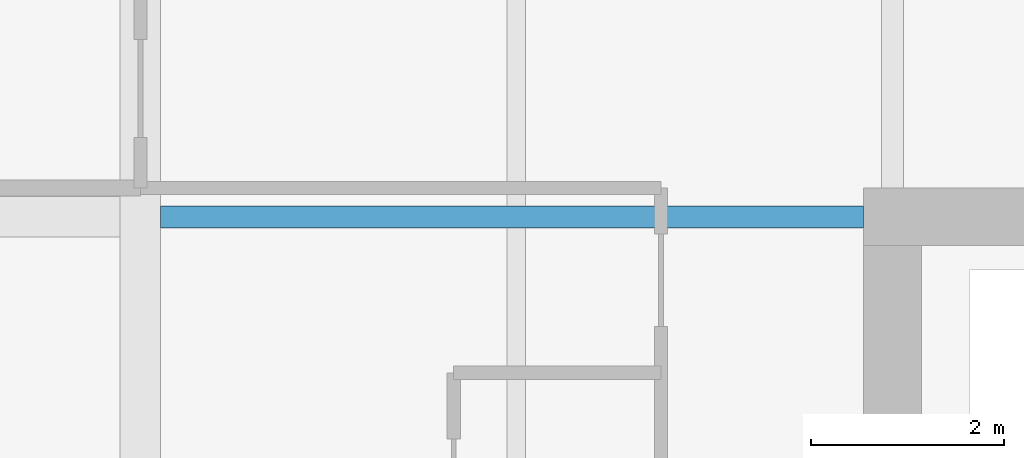
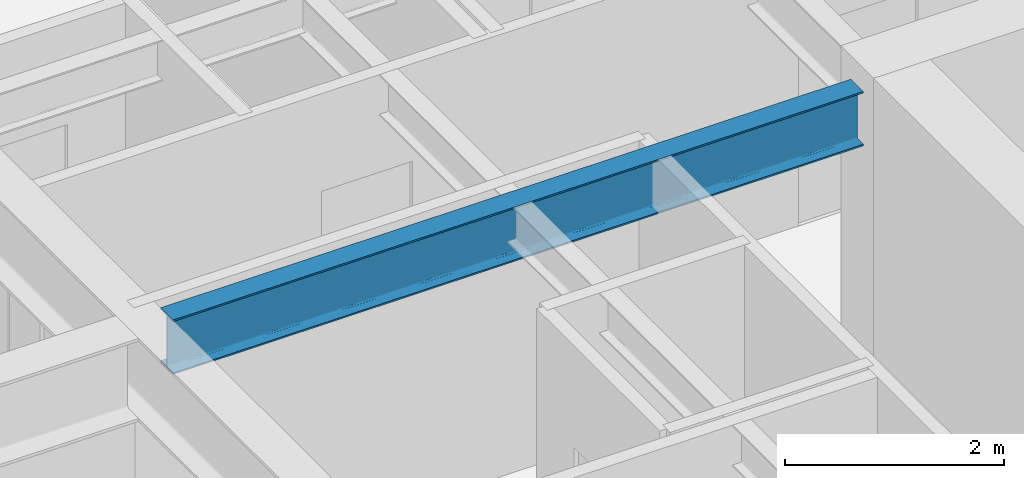
# One storey, part 18 of 42: 1 beam.
"""IFC4 building model written with IfcOpenShell, lengths in metres."""

from ifc_helpers import new_model, si_unit, direction, frame, origin, origin_2d, place, context, subcontext, project, spatial, i_section, extrude, material, material_profile, profile_set, type_object, element, save


model = new_model("IFC4")

# Units and contexts
model_context = context("Model", 3, precision=1e-05, world=origin(), true_north=direction((0.0, 1.0)))
body_context = subcontext(model_context, "Body", "Model", "MODEL_VIEW")
ifc_project = project(units=[si_unit("LENGTHUNIT", "METRE"), si_unit("AREAUNIT", "SQUARE_METRE"), si_unit("VOLUMEUNIT", "CUBIC_METRE"), si_unit("PLANEANGLEUNIT", "RADIAN"), si_unit("MASSUNIT", "GRAM", prefix="KILO")], contexts=[model_context])

# Site, building, storey
site_placement = place(None, origin())
site = spatial("IfcSite", under=ifc_project, at=site_placement, CompositionType="ELEMENT")
building_placement = place(site_placement, origin())
building = spatial("IfcBuilding", under=site, at=building_placement, Name="Drelvath Grand Hotel", CompositionType="ELEMENT")
storey_placement = place(building_placement, frame((0.0, 0.0, 33.199951171875)))
storey = spatial("IfcBuildingStorey", under=building, at=storey_placement, Name="L06", CompositionType="ELEMENT", Elevation=33.199951171875)

# Beam
ifc_material = material(Name="Steel ASTM A992 Gr 50", Category="steel")
ifc_material_profile = material_profile(ifc_material, i_section(OverallWidth=0.228271484375, OverallDepth=0.607666015625, WebThickness=0.01123046875, FlangeThickness=0.017333984375, FilletRadius=0.02001953125, at=origin_2d()), Name="W24X76")
ifc_profile_set = profile_set([ifc_material_profile], Name="Steel ASTM A992 Gr 50")
beam_type = type_object("IfcBeamType", Name="Primary Floor Girder W24X76", PredefinedType="BEAM", material=ifc_profile_set)
beam_placement = place(storey_placement, frame((-15.99072265625, 35.39990234375, 2.936279296875), z_axis=(1.0, 0.0, 0.0), x_axis=(0.0, 1.0, 0.0)))
element("IfcBeam", 1, at=beam_placement, inside=storey, type_object=beam_type, Name="L06 West Core Tie F", PredefinedType="BEAM", context=body_context, shape_type="SweptSolid", body=[
    extrude(i_section(OverallWidth=0.228271484375, OverallDepth=0.607666015625, WebThickness=0.01123046875, FlangeThickness=0.017333984375, FilletRadius=0.02001953125, at=origin_2d()), origin(), (0.0, 0.0, 1.0), 7.290771484375),
])

save(model, "model.ifc")
